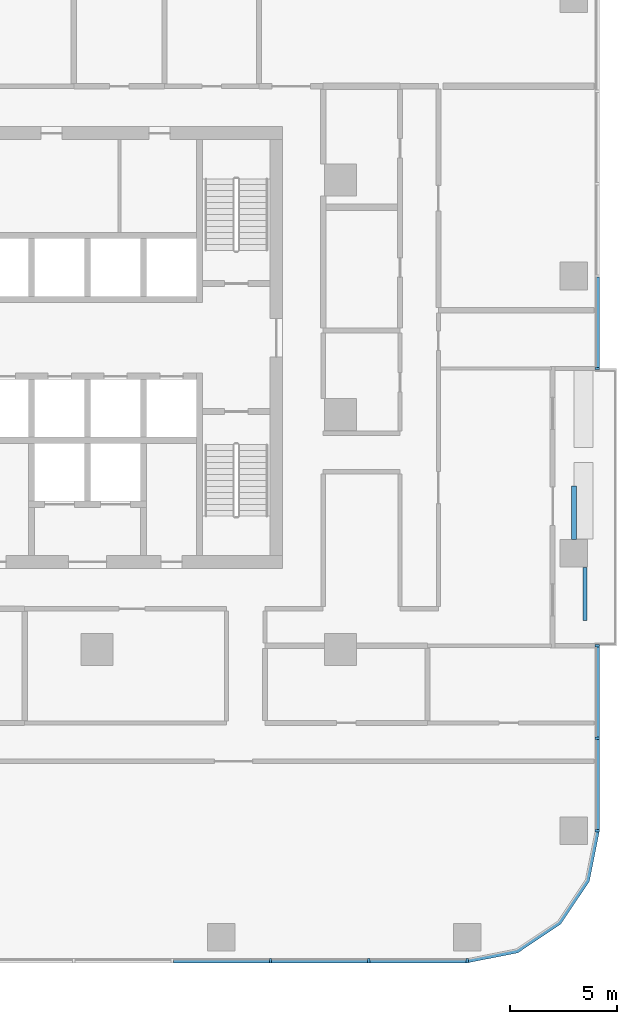
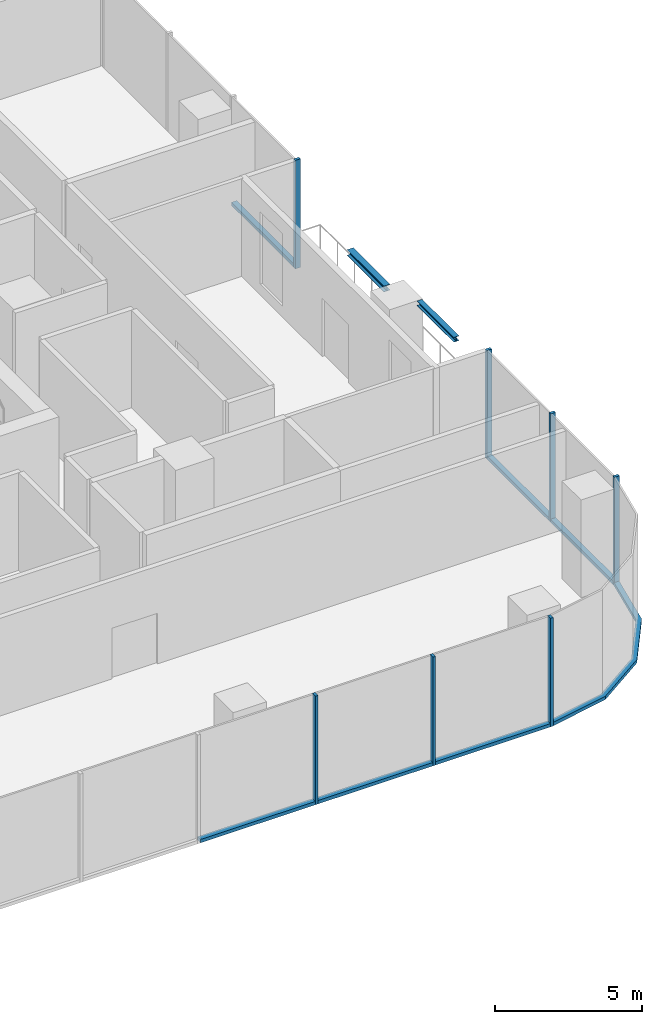
# One storey, part 3 of 14: 14 members, 2 beams, 4 elements without a shape of their own.
"""IFC4 building model written with IfcOpenShell, lengths in metres."""

from ifc_helpers import new_model, si_unit, direction, frame, origin, origin_2d, place, context, subcontext, project, spatial, polyline, rectangle, i_section, outline, extrude, material, material_profile, profile_set, type_object, element, aggregate, save


model = new_model("IFC4")

# Units and contexts
model_context = context("Model", 3, precision=1e-05, world=origin(), true_north=direction((0.0, 1.0)))
body_context = subcontext(model_context, "Body", "Model", "MODEL_VIEW")
ifc_project = project(units=[si_unit("LENGTHUNIT", "METRE"), si_unit("AREAUNIT", "SQUARE_METRE"), si_unit("VOLUMEUNIT", "CUBIC_METRE"), si_unit("PLANEANGLEUNIT", "RADIAN"), si_unit("MASSUNIT", "GRAM", prefix="KILO")], contexts=[model_context])

# Site, building, storey
site_placement = place(None, origin())
site = spatial("IfcSite", under=ifc_project, at=site_placement, CompositionType="ELEMENT")
building_placement = place(site_placement, origin())
building = spatial("IfcBuilding", under=site, at=building_placement, Name="Mopane Tessera Tower", CompositionType="ELEMENT")
storey_placement = place(building_placement, frame((0.0, 0.0, 130.60009765625)))
storey = spatial("IfcBuildingStorey", under=building, at=storey_placement, Name="L26", CompositionType="ELEMENT", Elevation=130.60009765625)

# Curtain wall, members
ifc_material_1 = material(Name="Aluminium frame", Category="aluminium")
curtain_wall_type = type_object("IfcCurtainWallType", Name="Lower tower unitised wall", PredefinedType="NOTDEFINED", material=ifc_material_1)
curtain_wall_1_placement = place(storey_placement, origin())
curtain_wall_1 = element("IfcCurtainWall", 1, at=curtain_wall_1_placement, inside=storey, type_object=curtain_wall_type, Name="e:cw:L26:S:4", PredefinedType="NOTDEFINED")
ifc_material_2 = material(Name="Aluminium frame", Category="aluminium")
ifc_material_profile_1 = material_profile(ifc_material_2, rectangle(XDim=0.110107421875, YDim=0.199951171875, at=origin_2d()))
ifc_profile_set_1 = profile_set([ifc_material_profile_1], Name="Aluminium frame")
member_type_1 = type_object("IfcMemberType", Name="Aluminium mullion 110 x 200", PredefinedType="MULLION", material=ifc_profile_set_1)
member_1_placement = place(storey_placement, frame((13.830078125, -25.60009765625, -0.4501953125), z_axis=(0.0, 0.0, 1.0), x_axis=(1.0, 0.0, 0.0)))
member_1 = element("IfcMember", 2, at=member_1_placement, type_object=member_type_1, Name="e:cw:L26:S:4:mu8", PredefinedType="MULLION", context=body_context, shape_type="SweptSolid", body=[
    extrude(rectangle(XDim=0.110107421875, YDim=0.199951171875, at=origin_2d()), origin(), (0.0, 0.0, 1.0), 4.5),
])
member_2_placement = place(storey_placement, frame((18.43994140625, -25.60009765625, -0.4501953125), z_axis=(0.0, 0.0, 1.0), x_axis=(1.0, 0.0, 0.0)))
member_2 = element("IfcMember", 3, at=member_2_placement, type_object=member_type_1, Name="e:cw:L26:S:4:mu9", PredefinedType="MULLION", context=body_context, shape_type="SweptSolid", body=[
    extrude(rectangle(XDim=0.110107421875, YDim=0.199951171875, at=origin_2d()), origin(), (0.0, 0.0, 1.0), 4.5),
])
member_3_placement = place(storey_placement, frame((23.050048828125, -25.60009765625, -0.4501953125), z_axis=(0.0, 0.0, 1.0), x_axis=(1.0, 0.0, 0.0)))
member_3 = element("IfcMember", 4, at=member_3_placement, type_object=member_type_1, Name="e:cw:L26:S:4:mu10", PredefinedType="MULLION", context=body_context, shape_type="SweptSolid", body=[
    extrude(rectangle(XDim=0.110107421875, YDim=0.199951171875, at=origin_2d()), origin(), (0.0, 0.0, 1.0), 4.5),
])

curtain_wall_2_placement = place(storey_placement, origin())
curtain_wall_2 = element("IfcCurtainWall", 5, at=curtain_wall_2_placement, inside=storey, type_object=curtain_wall_type, Name="e:cw:L26:E:0", PredefinedType="NOTDEFINED")
member_4_placement = place(storey_placement, frame((29.14990234375, -19.5, -0.4501953125), z_axis=(0.0, 0.0, 1.0), x_axis=(0.0, 1.0, 0.0)))
member_4 = element("IfcMember", 6, at=member_4_placement, type_object=member_type_1, Name="e:cw:L26:E:0:mu0", PredefinedType="MULLION", context=body_context, shape_type="SweptSolid", body=[
    extrude(rectangle(XDim=0.110107421875, YDim=0.199951171875, at=origin_2d()), origin(), (0.0, 0.0, 1.0), 4.5),
])
member_5_placement = place(storey_placement, frame((29.14990234375, -15.166748046875, -0.4501953125), z_axis=(0.0, 0.0, 1.0), x_axis=(0.0, 1.0, 0.0)))
member_5 = element("IfcMember", 7, at=member_5_placement, type_object=member_type_1, Name="e:cw:L26:E:0:mu1", PredefinedType="MULLION", context=body_context, shape_type="SweptSolid", body=[
    extrude(rectangle(XDim=0.110107421875, YDim=0.199951171875, at=origin_2d()), origin(), (0.0, 0.0, 1.0), 4.5),
])
member_6_placement = place(storey_placement, frame((29.14990234375, -10.833251953125, -0.4501953125), z_axis=(0.0, 0.0, 1.0), x_axis=(0.0, 1.0, 0.0)))
member_6 = element("IfcMember", 8, at=member_6_placement, type_object=member_type_1, Name="e:cw:L26:E:0:mu2", PredefinedType="MULLION", context=body_context, shape_type="SweptSolid", body=[
    extrude(rectangle(XDim=0.110107421875, YDim=0.199951171875, at=origin_2d()), origin(), (0.0, 0.0, 1.0), 4.5),
])

# Curtain wall, member
curtain_wall_3_placement = place(storey_placement, origin())
curtain_wall_3 = element("IfcCurtainWall", 9, at=curtain_wall_3_placement, inside=storey, type_object=curtain_wall_type, Name="e:cw:L26:E:5", PredefinedType="NOTDEFINED")
member_7_placement = place(storey_placement, frame((29.14990234375, 2.166748046875, -0.4501953125), z_axis=(0.0, 0.0, 1.0), x_axis=(0.0, 1.0, 0.0)))
member_7 = element("IfcMember", 10, at=member_7_placement, type_object=member_type_1, Name="e:cw:L26:E:5:mu5", PredefinedType="MULLION", context=body_context, shape_type="SweptSolid", body=[
    extrude(rectangle(XDim=0.110107421875, YDim=0.199951171875, at=origin_2d()), origin(), (0.0, 0.0, 1.0), 4.5),
])

# Member
ifc_material_3 = material(Name="Aluminium frame", Category="aluminium")
ifc_material_profile_2 = material_profile(ifc_material_3, rectangle(XDim=0.199951171875, YDim=0.139892578125, at=origin_2d()))
ifc_profile_set_2 = profile_set([ifc_material_profile_2], Name="Aluminium frame")
member_type_2 = type_object("IfcMemberType", Name="Aluminium transom 200 x 140", PredefinedType="USERDEFINED", material=ifc_profile_set_2)
member_8_placement = place(storey_placement, frame((9.27490234375, -25.60009765625, -0.380126953125), z_axis=(1.0, 0.0, 0.0), x_axis=(0.0, 1.0, 0.0)))
member_8 = element("IfcMember", 11, at=member_8_placement, type_object=member_type_2, Name="e:cw:L26:S:4:tr7", ObjectType="TRANSOM", PredefinedType="USERDEFINED", context=body_context, shape_type="SweptSolid", body=[
    extrude(rectangle(XDim=0.199951171875, YDim=0.139892578125, at=origin_2d()), origin(), (0.0, 0.0, 1.0), 4.5),
])

member_9_placement = place(storey_placement, frame((13.885009765625, -25.60009765625, -0.380126953125), z_axis=(1.0, 0.0, 0.0), x_axis=(0.0, 1.0, 0.0)))
member_9 = element("IfcMember", 12, at=member_9_placement, type_object=member_type_2, Name="e:cw:L26:S:4:tr8", ObjectType="TRANSOM", PredefinedType="USERDEFINED", context=body_context, shape_type="SweptSolid", body=[
    extrude(rectangle(XDim=0.199951171875, YDim=0.139892578125, at=origin_2d()), origin(), (0.0, 0.0, 1.0), 4.5),
])

member_10_placement = place(storey_placement, frame((18.4951171875, -25.60009765625, -0.380126953125), z_axis=(1.0, 0.0, 0.0), x_axis=(0.0, 1.0, 0.0)))
member_10 = element("IfcMember", 13, at=member_10_placement, type_object=member_type_2, Name="e:cw:L26:S:4:tr9", ObjectType="TRANSOM", PredefinedType="USERDEFINED", context=body_context, shape_type="SweptSolid", body=[
    extrude(rectangle(XDim=0.199951171875, YDim=0.139892578125, at=origin_2d()), origin(), (0.0, 0.0, 1.0), 4.5),
])

aggregate(curtain_wall_1, [member_1, member_2, member_3, member_8, member_9, member_10])

# Curtain wall, member
curtain_wall_4_placement = place(storey_placement, origin())
curtain_wall_4 = element("IfcCurtainWall", 14, at=curtain_wall_4_placement, inside=storey, type_object=curtain_wall_type, Name="e:cw:L26:CS", PredefinedType="NOTDEFINED")
member_11_placement = place(storey_placement, frame((0.0, 0.0, -0.4501953125)))
member_11 = element("IfcMember", 15, at=member_11_placement, type_object=member_type_2, Name="e:cw:L26:CS:tr", ObjectType="TRANSOM", PredefinedType="USERDEFINED", context=body_context, shape_type="SweptSolid", body=[
    extrude(outline(polyline([(23.050048828125, -25.5), (25.34619140625, -25.043212890625), (27.292724609375, -23.74267578125), (28.59326171875, -21.796142578125), (29.050048828125, -19.5), (29.25, -19.5), (28.778076171875, -21.87255859375), (27.43408203125, -23.884033203125), (25.422607421875, -25.22802734375), (23.050048828125, -25.699951171875), (23.050048828125, -25.5)])), origin(), (0.0, 0.0, 1.0), 0.14013671875),
])
aggregate(curtain_wall_4, [member_11])

# Member
member_12_placement = place(storey_placement, frame((29.14990234375, -19.445068359375, -0.380126953125), z_axis=(0.0, 1.0, 0.0), x_axis=(-1.0, 0.0, 0.0)))
member_12 = element("IfcMember", 16, at=member_12_placement, type_object=member_type_2, Name="e:cw:L26:E:0:tr0", ObjectType="TRANSOM", PredefinedType="USERDEFINED", context=body_context, shape_type="SweptSolid", body=[
    extrude(rectangle(XDim=0.199951171875, YDim=0.139892578125, at=origin_2d()), origin(), (0.0, 0.0, 1.0), 4.223388671875),
])

member_13_placement = place(storey_placement, frame((29.14990234375, -15.111572265625, -0.380126953125), z_axis=(0.0, 1.0, 0.0), x_axis=(-1.0, 0.0, 0.0)))
member_13 = element("IfcMember", 17, at=member_13_placement, type_object=member_type_2, Name="e:cw:L26:E:0:tr1", ObjectType="TRANSOM", PredefinedType="USERDEFINED", context=body_context, shape_type="SweptSolid", body=[
    extrude(rectangle(XDim=0.199951171875, YDim=0.139892578125, at=origin_2d()), origin(), (0.0, 0.0, 1.0), 4.22314453125),
])

aggregate(curtain_wall_2, [member_4, member_5, member_6, member_12, member_13])

member_14_placement = place(storey_placement, frame((29.14990234375, 2.2216796875, -0.380126953125), z_axis=(0.0, 1.0, 0.0), x_axis=(-1.0, 0.0, 0.0)))
member_14 = element("IfcMember", 18, at=member_14_placement, type_object=member_type_2, Name="e:cw:L26:E:5:tr5", ObjectType="TRANSOM", PredefinedType="USERDEFINED", context=body_context, shape_type="SweptSolid", body=[
    extrude(rectangle(XDim=0.199951171875, YDim=0.139892578125, at=origin_2d()), origin(), (0.0, 0.0, 1.0), 4.223388671875),
])

aggregate(curtain_wall_3, [member_7, member_14])

# Beams
ifc_material_4 = material(Name="Structural steel S460", Category="steel")
ifc_material_profile_3 = material_profile(ifc_material_4, i_section(OverallWidth=0.239990234375, OverallDepth=0.239990234375, WebThickness=0.010009765625, FlangeThickness=0.01708984375, FilletRadius=0.02099609375, at=origin_2d()))
ifc_profile_set_3 = profile_set([ifc_material_profile_3], Name="Structural steel S460")
beam_type_1 = type_object("IfcBeamType", Name="Terrace spandrel beam HE 240 B", PredefinedType="SPANDREL", material=ifc_profile_set_3)
beam_1_placement = place(storey_placement, frame((28.050048828125, -5.846923828125, 3.929931640625), z_axis=(0.0, 1.0, 0.0), x_axis=(-1.0, 0.0, 0.0)))
element("IfcBeam", 19, at=beam_1_placement, inside=storey, type_object=beam_type_1, Name="Terrace spandrel beam N3 L27", PredefinedType="SPANDREL", context=body_context, shape_type="SweptSolid", body=[
    extrude(i_section(OverallWidth=0.239990234375, OverallDepth=0.239990234375, WebThickness=0.010009765625, FlangeThickness=0.01708984375, FilletRadius=0.02099609375, at=origin_2d()), origin(), (0.0, 0.0, 1.0), 2.5),
])
ifc_material_5 = material(Name="Structural steel S460", Category="steel")
ifc_material_profile_4 = material_profile(ifc_material_5, i_section(OverallWidth=0.199951171875, OverallDepth=0.199951171875, WebThickness=0.009033203125, FlangeThickness=0.014892578125, FilletRadius=0.01806640625, at=origin_2d()))
ifc_profile_set_4 = profile_set([ifc_material_profile_4], Name="Structural steel S460")
beam_type_2 = type_object("IfcBeamType", Name="Terrace trimmer beam HE 200 B", PredefinedType="BEAM", material=ifc_profile_set_4)
beam_2_placement = place(storey_placement, frame((28.570068359375, -7.153076171875, 3.949951171875), z_axis=(0.0, -1.0, 0.0), x_axis=(1.0, 0.0, 0.0)))
element("IfcBeam", 20, at=beam_2_placement, inside=storey, type_object=beam_type_2, Name="Terrace trimmer beam N3 L27", PredefinedType="BEAM", context=body_context, shape_type="SweptSolid", body=[
    extrude(i_section(OverallWidth=0.199951171875, OverallDepth=0.199951171875, WebThickness=0.009033203125, FlangeThickness=0.014892578125, FilletRadius=0.01806640625, at=origin_2d()), origin(), (0.0, 0.0, 1.0), 2.5),
])

save(model, "model.ifc")
